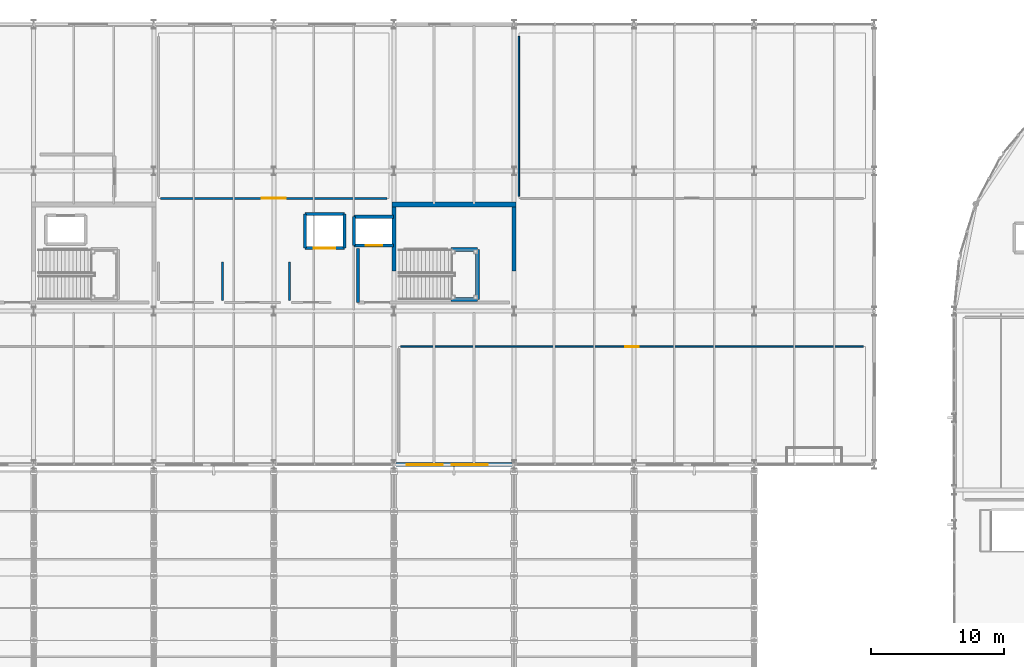
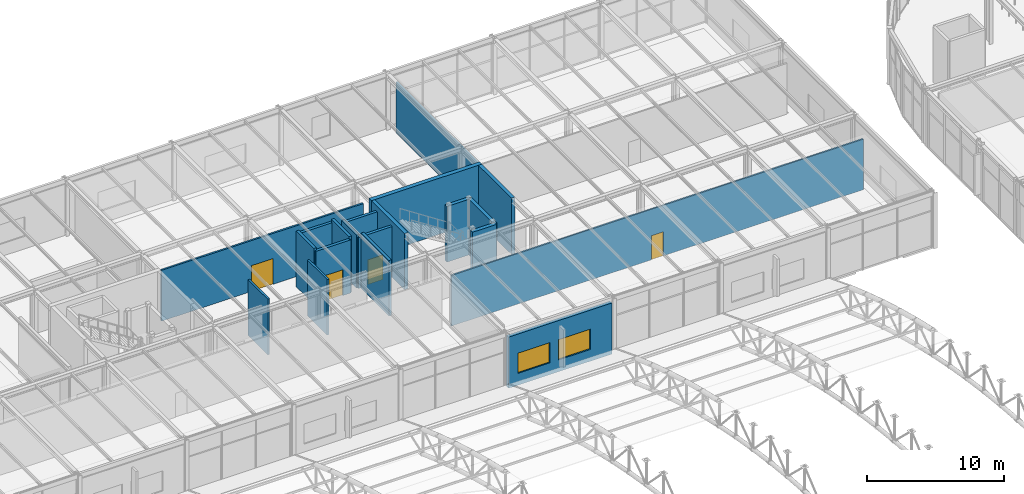
# One storey, part 110 of 195: 20 walls, 4 doors, 2 windows, 6 openings.
"""IFC4 building model written with IfcOpenShell, lengths in metres."""

from ifc_helpers import new_model, si_unit, direction, frame, frame_2d, origin, place, context, subcontext, project, spatial, rectangle, extrude, material, layer, layer_set, type_object, element, fill, save


model = new_model("IFC4")

# Units and contexts
model_context = context("Model", 3, precision=1e-05, world=origin(), true_north=direction((0.0, 1.0)))
body_context = subcontext(model_context, "Body", "Model", "MODEL_VIEW")
ifc_project = project(units=[si_unit("LENGTHUNIT", "METRE"), si_unit("AREAUNIT", "SQUARE_METRE"), si_unit("VOLUMEUNIT", "CUBIC_METRE"), si_unit("PLANEANGLEUNIT", "RADIAN"), si_unit("MASSUNIT", "GRAM", prefix="KILO")], contexts=[model_context])

# Site, building, storey
site_placement = place(None, origin())
site = spatial("IfcSite", under=ifc_project, at=site_placement, CompositionType="ELEMENT")
building_placement = place(site_placement, origin())
building = spatial("IfcBuilding", under=site, at=building_placement, Name="Marlcrest Central Station", CompositionType="ELEMENT")
storey_placement = place(building_placement, frame((0.0, 0.0, 9.800048828125)))
storey = spatial("IfcBuildingStorey", under=building, at=storey_placement, Name="L02", CompositionType="ELEMENT", Elevation=9.800048828125)

# Wall, openings, windows
ifc_material_1 = material(Name="Concrete C40/50", Category="concrete")
ifc_layer_1 = layer(ifc_material_1, 0.2900390625, Name="EW-02")
ifc_layer_set_1 = layer_set([ifc_layer_1], Name="Concrete C40/50")
wall_type_1 = type_object("IfcWallType", Name="EW-02", PredefinedType="SOLIDWALL", material=ifc_layer_set_1)
wall_1_placement = place(storey_placement, frame((53.85009765625, 99.0, 0.0), z_axis=(0.0, 0.0, 1.0), x_axis=(-1.0, 0.0, 0.0)))
wall_1 = element("IfcWall", 1, at=wall_1_placement, inside=storey, type_object=wall_type_1, Name="ewall-L02-0139", PredefinedType="SOLIDWALL", context=body_context, shape_type="SweptSolid", body=[
    extrude(rectangle(XDim=8.7001953125, YDim=0.2900390625, at=frame_2d((4.35009765625, 0.0))), origin(), (0.0, 0.0, 1.0), 4.550048828125),
])
opening_1_placement = place(wall_1_placement, frame((1.800048828125, 0.0, 1.050048828125)))
opening_1 = element("IfcOpeningElement", 2, at=opening_1_placement, cuts=wall_1, Name="Opening WN-06", PredefinedType="OPENING", context=body_context, shape_type="SweptSolid", body=[
    extrude(rectangle(XDim=2.699951171875, YDim=1.800048828125, at=frame_2d((1.35009765625, 0.89990234375))), frame((0.0, 0.155029296875, 0.0), z_axis=(0.0, -1.0, 0.0), x_axis=(1.0, 0.0, 0.0)), (0.0, 0.0, 1.0), 0.31005859375),
])
opening_2_placement = place(wall_1_placement, frame((5.199951171875, 0.0, 1.050048828125)))
opening_2 = element("IfcOpeningElement", 3, at=opening_2_placement, cuts=wall_1, Name="Opening WN-06", PredefinedType="OPENING", context=body_context, shape_type="SweptSolid", body=[
    extrude(rectangle(XDim=2.699951171875, YDim=1.800048828125, at=frame_2d((1.35009765625, 0.89990234375))), frame((0.0, 0.155029296875, 0.0), z_axis=(0.0, -1.0, 0.0), x_axis=(1.0, 0.0, 0.0)), (0.0, 0.0, 1.0), 0.31005859375),
])
ifc_material_2 = material(Name="Thermally broken bronze-anodised aluminium and laminated low-E glass", Category="aluminium")
window_type = type_object("IfcWindowType", Name="WN-06", PartitioningType="SINGLE_PANEL", PredefinedType="WINDOW", material=ifc_material_2)
window_1_placement = place(opening_1_placement, origin())
window_1 = element("IfcWindow", 4, at=window_1_placement, inside=storey, type_object=window_type, Name="ewin-L02-0094", OverallHeight=1.800048828125, OverallWidth=2.699951171875, PartitioningType="SINGLE_PANEL", PredefinedType="WINDOW", context=body_context, shape_type="SweptSolid", body=[
    extrude(rectangle(XDim=2.699951171875, YDim=1.800048828125, at=frame_2d((1.35009765625, 0.89990234375))), frame((0.0, 0.030029296875, 0.0), z_axis=(0.0, -1.0, 0.0), x_axis=(1.0, 0.0, 0.0)), (0.0, 0.0, 1.0), 0.06005859375),
])
fill(opening_1, window_1)
window_2_placement = place(opening_2_placement, origin())
window_2 = element("IfcWindow", 5, at=window_2_placement, inside=storey, type_object=window_type, Name="ewin-L02-0095", OverallHeight=1.800048828125, OverallWidth=2.699951171875, PartitioningType="SINGLE_PANEL", PredefinedType="WINDOW", context=body_context, shape_type="SweptSolid", body=[
    extrude(rectangle(XDim=2.699951171875, YDim=1.800048828125, at=frame_2d((1.35009765625, 0.89990234375))), frame((0.0, 0.030029296875, 0.0), z_axis=(0.0, -1.0, 0.0), x_axis=(1.0, 0.0, 0.0)), (0.0, 0.0, 1.0), 0.06005859375),
])
fill(opening_2, window_2)

# Wall, opening, door
ifc_material_3 = material(Name="Acoustic steel-stud gypsum board partition", Category="steel")
ifc_layer_2 = layer(ifc_material_3, 0.1201171875, Name="PT-01")
ifc_layer_set_2 = layer_set([ifc_layer_2], Name="Acoustic steel-stud gypsum board partition")
wall_type_2 = type_object("IfcWallType", Name="PT-01", PredefinedType="PARTITIONING", material=ifc_layer_set_2)
wall_2_placement = place(storey_placement, frame((45.510009765625, 107.840087890625, 0.0), z_axis=(0.0, 0.0, 1.0), x_axis=(1.0, 0.0, 0.0)))
wall_2 = element("IfcWall", 6, at=wall_2_placement, inside=storey, type_object=wall_type_2, Name="iwall-L02-00147", PredefinedType="PARTITIONING", context=body_context, shape_type="SweptSolid", body=[
    extrude(rectangle(XDim=34.679931640625, YDim=0.1201171875, at=frame_2d((17.33984375, 0.0))), origin(), (0.0, 0.0, 1.0), 4.5048828125),
])
opening_3_placement = place(wall_2_placement, frame((16.840087890625, 0.0, 0.0)))
opening_3 = element("IfcOpeningElement", 7, at=opening_3_placement, cuts=wall_2, Name="Opening ID-02", PredefinedType="OPENING", context=body_context, shape_type="SweptSolid", body=[
    extrude(rectangle(XDim=1.0, YDim=2.14990234375, at=frame_2d((0.5, 1.074951171875))), frame((0.0, 0.070068359375, 0.0), z_axis=(0.0, -1.0, 0.0), x_axis=(1.0, 0.0, 0.0)), (0.0, 0.0, 1.0), 0.14013671875),
])
ifc_material_4 = material(Name="Solid-core hardwood office door", Category="wood")
door_type_1 = type_object("IfcDoorType", Name="ID-02", OperationType="NOTDEFINED", PredefinedType="DOOR", material=ifc_material_4)
door_1_placement = place(opening_3_placement, origin())
door_1 = element("IfcDoor", 8, at=door_1_placement, inside=storey, type_object=door_type_1, Name="L02-V5B 0084", OperationType="SINGLE_SWING_RIGHT", OverallHeight=2.14990234375, OverallWidth=1.0, PredefinedType="DOOR", context=body_context, shape_type="SweptSolid", body=[
    extrude(rectangle(XDim=1.0, YDim=2.14990234375, at=frame_2d((0.5, 1.074951171875))), frame((0.0, 0.02490234375, 0.0), z_axis=(0.0, -1.0, 0.0), x_axis=(1.0, 0.0, 0.0)), (0.0, 0.0, 1.0), 0.050048828125),
])
fill(opening_3, door_1)

# Walls
wall_3_placement = place(storey_placement, frame((54.360107421875, 119.110107421875, 0.0), z_axis=(0.0, 0.0, 1.0), x_axis=(0.0, 1.0, 0.0)))
element("IfcWall", 9, at=wall_3_placement, inside=storey, type_object=wall_type_2, Name="iwall-L02-00153", PredefinedType="PARTITIONING", context=body_context, shape_type="SweptSolid", body=[
    extrude(rectangle(XDim=11.97998046875, YDim=0.1201171875, at=frame_2d((5.989990234375, 0.0))), origin(), (0.0, 0.0, 1.0), 4.530029296875),
])
ifc_material_5 = material(Name="Moisture-resistant tiled sanitary partition")
ifc_layer_3 = layer(ifc_material_5, 0.159912109375, Name="PT-03")
ifc_layer_set_3 = layer_set([ifc_layer_3], Name="Moisture-resistant tiled sanitary partition")
wall_type_3 = type_object("IfcWallType", Name="PT-03", PredefinedType="PARTITIONING", material=ifc_layer_set_3)
for number, where, z_axis, x_axis, name in (
    (10, (32.159912109375, 111.31005859375, 0.0), (0.0, 0.0, 1.0), (0.0, 1.0, 0.0), "iwall-L02-00159"),
    (11, (37.159912109375, 111.31005859375, 0.0), (0.0, 0.0, 1.0), (0.0, 1.0, 0.0), "iwall-L02-00161"),
):
    element("IfcWall", number, at=place(storey_placement, frame(where, z_axis=z_axis, x_axis=x_axis)), inside=storey, type_object=wall_type_3, Name=name, PredefinedType="PARTITIONING", context=body_context, shape_type="SweptSolid", body=[
        extrude(rectangle(XDim=2.8798828125, YDim=0.159912109375, at=frame_2d((1.43994140625, 0.0))), origin(), (0.0, 0.0, 1.0), 4.949951171875),
    ])

# Wall, opening, door
ifc_material_6 = material(Name="Retail tenancy demising partition")
ifc_layer_4 = layer(ifc_material_6, 0.14990234375, Name="PT-05")
ifc_layer_set_4 = layer_set([ifc_layer_4], Name="Retail tenancy demising partition")
wall_type_4 = type_object("IfcWallType", Name="PT-05", PredefinedType="PARTITIONING", material=ifc_layer_set_4)
wall_4_placement = place(storey_placement, frame((44.489990234375, 118.9599609375, 0.0), z_axis=(0.0, 0.0, 1.0), x_axis=(-1.0, 0.0, 0.0)))
wall_4 = element("IfcWall", 12, at=wall_4_placement, inside=storey, type_object=wall_type_4, Name="iwall-L02-00150", PredefinedType="PARTITIONING", context=body_context, shape_type="SweptSolid", body=[
    extrude(rectangle(XDim=16.97998046875, YDim=0.14990234375, at=frame_2d((8.489990234375, 0.0))), origin(), (0.0, 0.0, 1.0), 4.530029296875),
])
opening_4_placement = place(wall_4_placement, frame((7.590087890625, 0.0, 0.0)))
opening_4 = element("IfcOpeningElement", 13, at=opening_4_placement, cuts=wall_4, Name="Opening ID-06", PredefinedType="OPENING", context=body_context, shape_type="SweptSolid", body=[
    extrude(rectangle(XDim=1.800048828125, YDim=2.300048828125, at=frame_2d((0.89990234375, 1.14990234375))), frame((0.0, 0.0849609375, 0.0), z_axis=(0.0, -1.0, 0.0), x_axis=(1.0, 0.0, 0.0)), (0.0, 0.0, 1.0), 0.169921875),
])
ifc_material_7 = material(Name="Double retail and cafe entrance door")
door_type_2 = type_object("IfcDoorType", Name="ID-06", OperationType="DOUBLE_DOOR_SINGLE_SWING", PredefinedType="DOOR", material=ifc_material_7)
door_2_placement = place(opening_4_placement, origin())
door_2 = element("IfcDoor", 14, at=door_2_placement, inside=storey, type_object=door_type_2, Name="L02-V5E 0086", OperationType="DOUBLE_DOOR_SINGLE_SWING", OverallHeight=2.300048828125, OverallWidth=1.800048828125, PredefinedType="DOOR", context=body_context, shape_type="SweptSolid", body=[
    extrude(rectangle(XDim=1.800048828125, YDim=2.300048828125, at=frame_2d((0.89990234375, 1.14990234375))), frame((0.0, 0.02490234375, 0.0), z_axis=(0.0, -1.0, 0.0), x_axis=(1.0, 0.0, 0.0)), (0.0, 0.0, 1.0), 0.050048828125),
])
fill(opening_4, door_2)

# Wall
ifc_layer_5 = layer(ifc_material_1, 0.22998046875, Name="SHW-01")
ifc_layer_set_5 = layer_set([ifc_layer_5], Name="Concrete C40/50")
wall_type_5 = type_object("IfcWallType", Name="SHW-01", PredefinedType="SOLIDWALL", material=ifc_layer_set_5)
wall_5_placement = place(storey_placement, frame((42.02001953125, 117.580078125, 0.0), z_axis=(0.0, 0.0, 1.0), x_axis=(1.0, 0.0, 0.0)))
element("IfcWall", 15, at=wall_5_placement, inside=storey, type_object=wall_type_5, Name="iwall-L02-00380", PredefinedType="SOLIDWALL", context=body_context, shape_type="SweptSolid", body=[
    extrude(rectangle(XDim=2.9599609375, YDim=0.22998046875, at=frame_2d((1.47998046875, 0.0))), origin(), (0.0, 0.0, 1.0), 4.530029296875),
])

# Wall, opening, door
wall_6_placement = place(storey_placement, frame((44.97998046875, 115.419921875, 0.0), z_axis=(0.0, 0.0, 1.0), x_axis=(-1.0, 0.0, 0.0)))
wall_6 = element("IfcWall", 16, at=wall_6_placement, inside=storey, type_object=wall_type_5, Name="iwall-L02-00381", PredefinedType="SOLIDWALL", context=body_context, shape_type="SweptSolid", body=[
    extrude(rectangle(XDim=2.9599609375, YDim=0.22998046875, at=frame_2d((1.47998046875, 0.0))), origin(), (0.0, 0.0, 1.0), 4.530029296875),
])
opening_5_placement = place(wall_6_placement, frame((0.85498046875, 0.0, 0.0)))
opening_5 = element("IfcOpeningElement", 17, at=opening_5_placement, cuts=wall_6, Name="Opening LD-02", PredefinedType="OPENING", context=body_context, shape_type="SweptSolid", body=[
    extrude(rectangle(XDim=1.25, YDim=2.199951171875, at=frame_2d((0.625, 1.10009765625))), frame((0.0, 0.125, 0.0), z_axis=(0.0, -1.0, 0.0), x_axis=(1.0, 0.0, 0.0)), (0.0, 0.0, 1.0), 0.25),
])
ifc_material_8 = material(Name="Stainless steel stretcher/firefighting lift landing door", Category="steel")
door_type_3 = type_object("IfcDoorType", Name="LD-02", OperationType="DOUBLE_DOOR_SLIDING", PredefinedType="DOOR", material=ifc_material_8)
door_3_placement = place(opening_5_placement, origin())
door_3 = element("IfcDoor", 18, at=door_3_placement, inside=storey, type_object=door_type_3, Name="LF-O1 Lift Landing Door 0166", OperationType="DOUBLE_DOOR_SLIDING", OverallHeight=2.199951171875, OverallWidth=1.25, PredefinedType="DOOR", context=body_context, shape_type="SweptSolid", body=[
    extrude(rectangle(XDim=1.25, YDim=2.199951171875, at=frame_2d((0.625, 1.10009765625))), frame((0.0, 0.02490234375, 0.0), z_axis=(0.0, -1.0, 0.0), x_axis=(1.0, 0.0, 0.0)), (0.0, 0.0, 1.0), 0.050048828125),
])
fill(opening_5, door_3)

# Walls
wall_7_placement = place(storey_placement, frame((42.02001953125, 115.419921875, 0.0), z_axis=(0.0, 0.0, 1.0), x_axis=(0.0, 1.0, 0.0)))
element("IfcWall", 19, at=wall_7_placement, inside=storey, type_object=wall_type_5, Name="iwall-L02-00382", PredefinedType="SOLIDWALL", context=body_context, shape_type="SweptSolid", body=[
    extrude(rectangle(XDim=2.16015625, YDim=0.22998046875, at=frame_2d((1.080078125, 0.0))), origin(), (0.0, 0.0, 1.0), 4.72998046875),
])
wall_8_placement = place(storey_placement, frame((38.320068359375, 117.780029296875, 0.0), z_axis=(0.0, 0.0, 1.0), x_axis=(1.0, 0.0, 0.0)))
element("IfcWall", 20, at=wall_8_placement, inside=storey, type_object=wall_type_5, Name="iwall-L02-00404", PredefinedType="SOLIDWALL", context=body_context, shape_type="SweptSolid", body=[
    extrude(rectangle(XDim=2.9599609375, YDim=0.22998046875, at=frame_2d((1.47998046875, 0.0))), origin(), (0.0, 0.0, 1.0), 4.72998046875),
])

# Wall, opening, door
wall_9_placement = place(storey_placement, frame((41.280029296875, 115.219970703125, 0.0), z_axis=(0.0, 0.0, 1.0), x_axis=(-1.0, 0.0, 0.0)))
wall_9 = element("IfcWall", 21, at=wall_9_placement, inside=storey, type_object=wall_type_5, Name="iwall-L02-00405", PredefinedType="SOLIDWALL", context=body_context, shape_type="SweptSolid", body=[
    extrude(rectangle(XDim=2.9599609375, YDim=0.22998046875, at=frame_2d((1.47998046875, 0.0))), origin(), (0.0, 0.0, 1.0), 4.72998046875),
])
opening_6_placement = place(wall_9_placement, frame((0.679931640625, 0.0, 0.0)))
opening_6 = element("IfcOpeningElement", 22, at=opening_6_placement, cuts=wall_9, Name="Opening LD-03", PredefinedType="OPENING", context=body_context, shape_type="SweptSolid", body=[
    extrude(rectangle(XDim=1.60009765625, YDim=2.300048828125, at=frame_2d((0.800048828125, 1.14990234375))), frame((0.0, 0.125, 0.0), z_axis=(0.0, -1.0, 0.0), x_axis=(1.0, 0.0, 0.0)), (0.0, 0.0, 1.0), 0.25),
])
ifc_material_9 = material(Name="Heavy-duty goods lift sliding landing door")
door_type_4 = type_object("IfcDoorType", Name="LD-03", OperationType="DOUBLE_DOOR_SLIDING", PredefinedType="DOOR", material=ifc_material_9)
door_4_placement = place(opening_6_placement, origin())
door_4 = element("IfcDoor", 23, at=door_4_placement, inside=storey, type_object=door_type_4, Name="LF-G1 Lift Landing Door 0173", OperationType="DOUBLE_DOOR_SLIDING", OverallHeight=2.300048828125, OverallWidth=1.60009765625, PredefinedType="DOOR", context=body_context, shape_type="SweptSolid", body=[
    extrude(rectangle(XDim=1.60009765625, YDim=2.300048828125, at=frame_2d((0.800048828125, 1.14990234375))), frame((0.0, 0.02490234375, 0.0), z_axis=(0.0, -1.0, 0.0), x_axis=(1.0, 0.0, 0.0)), (0.0, 0.0, 1.0), 0.050048828125),
])
fill(opening_6, door_4)

# Walls
for number, where, z_axis, x_axis, name in (
    (24, (38.320068359375, 115.219970703125, 0.0), (0.0, 0.0, 1.0), (0.0, 1.0, 0.0), "iwall-L02-00406"),
    (25, (41.280029296875, 117.780029296875, 0.0), (0.0, 0.0, 1.0), (0.0, -1.0, 0.0), "iwall-L02-00407"),
):
    element("IfcWall", number, at=place(storey_placement, frame(where, z_axis=z_axis, x_axis=x_axis)), inside=storey, type_object=wall_type_5, Name=name, PredefinedType="SOLIDWALL", context=body_context, shape_type="SweptSolid", body=[
        extrude(rectangle(XDim=2.56005859375, YDim=0.22998046875, at=frame_2d((1.280029296875, 0.0))), origin(), (0.0, 0.0, 1.0), 4.9599609375),
    ])
wall_10_placement = place(storey_placement, frame((42.300048828125, 111.14990234375, 0.0), z_axis=(0.0, 0.0, 1.0), x_axis=(0.0, 1.0, 0.0)))
element("IfcWall", 26, at=wall_10_placement, inside=storey, type_object=wall_type_5, Name="iwall-L02-00440", PredefinedType="SOLIDWALL", context=body_context, shape_type="SweptSolid", body=[
    extrude(rectangle(XDim=4.050048828125, YDim=0.22998046875, at=frame_2d((2.02490234375, 0.0))), origin(), (0.0, 0.0, 1.0), 4.949951171875),
])
ifc_material_10 = material(Name="Concrete C50/60", Category="concrete")
ifc_layer_6 = layer(ifc_material_10, 0.35009765625, Name="SW-01")
ifc_layer_set_6 = layer_set([ifc_layer_6], Name="Concrete C50/60")
wall_type_6 = type_object("IfcWallType", Name="SW-01", PredefinedType="SHEAR", material=ifc_layer_set_6)
wall_11_placement = place(storey_placement, frame((44.85009765625, 118.5, 0.0), z_axis=(0.0, 0.0, 1.0), x_axis=(1.0, 0.0, 0.0)))
element("IfcWall", 27, at=wall_11_placement, inside=storey, type_object=wall_type_6, Name="swall-L02-0026", PredefinedType="SHEAR", context=body_context, shape_type="SweptSolid", body=[
    extrude(rectangle(XDim=9.2998046875, YDim=0.35009765625, at=frame_2d((4.64990234375, 0.0))), origin(), (0.0, 0.0, 1.0), 5.0),
])
ifc_layer_7 = layer(ifc_material_10, 0.300048828125, Name="SW-02")
ifc_layer_set_7 = layer_set([ifc_layer_7], Name="Concrete C50/60")
wall_type_7 = type_object("IfcWallType", Name="SW-02", PredefinedType="SHEAR", material=ifc_layer_set_7)
for number, where, z_axis, x_axis, name in (
    (28, (45.0, 113.5, 0.0), (0.0, 0.0, 1.0), (0.0, 1.0, 0.0), "swall-L02-0027"),
    (29, (54.0, 113.5, 0.0), (0.0, 0.0, 1.0), (0.0, 1.0, 0.0), "swall-L02-0028"),
):
    element("IfcWall", number, at=place(storey_placement, frame(where, z_axis=z_axis, x_axis=x_axis)), inside=storey, type_object=wall_type_7, Name=name, PredefinedType="SHEAR", context=body_context, shape_type="SweptSolid", body=[
        extrude(rectangle(XDim=4.824951171875, YDim=0.300048828125, at=frame_2d((2.41259765625, 0.0))), origin(), (0.0, 0.0, 1.0), 5.0),
    ])
wall_12_placement = place(storey_placement, frame((49.280029296875, 111.3701171875, 0.0), z_axis=(0.0, 0.0, 1.0), x_axis=(1.0, 0.0, 0.0)))
element("IfcWall", 30, at=wall_12_placement, inside=storey, type_object=wall_type_7, Name="htsw-0049-S", PredefinedType="SHEAR", context=body_context, shape_type="SweptSolid", body=[
    extrude(rectangle(XDim=2.0, YDim=0.300048828125, at=frame_2d((1.0, 0.0))), origin(), (0.0, 0.0, 1.0), 4.949951171875),
])
wall_13_placement = place(storey_placement, frame((51.280029296875, 111.3701171875, 0.0), z_axis=(0.0, 0.0, 1.0), x_axis=(0.0, 1.0, 0.0)))
element("IfcWall", 31, at=wall_13_placement, inside=storey, type_object=wall_type_7, Name="htsw-0049-E", PredefinedType="SHEAR", context=body_context, shape_type="SweptSolid", body=[
    extrude(rectangle(XDim=3.759765625, YDim=0.300048828125, at=frame_2d((1.8798828125, 0.0))), origin(), (0.0, 0.0, 1.0), 4.949951171875),
])
wall_14_placement = place(storey_placement, frame((51.280029296875, 115.1298828125, 0.0), z_axis=(0.0, 0.0, 1.0), x_axis=(-1.0, 0.0, 0.0)))
element("IfcWall", 32, at=wall_14_placement, inside=storey, type_object=wall_type_7, Name="htsw-0049-N", PredefinedType="SHEAR", context=body_context, shape_type="SweptSolid", body=[
    extrude(rectangle(XDim=2.0, YDim=0.300048828125, at=frame_2d((1.0, 0.0))), origin(), (0.0, 0.0, 1.0), 4.949951171875),
])

save(model, "model.ifc")
